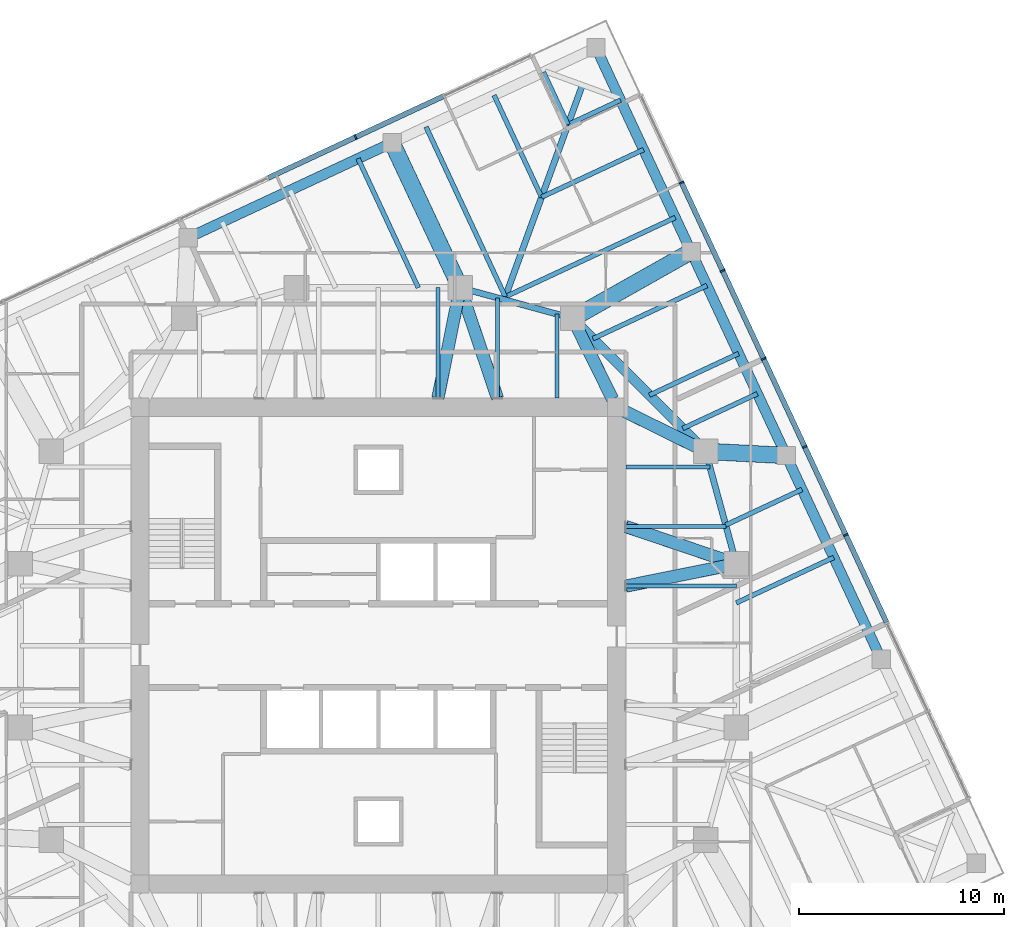
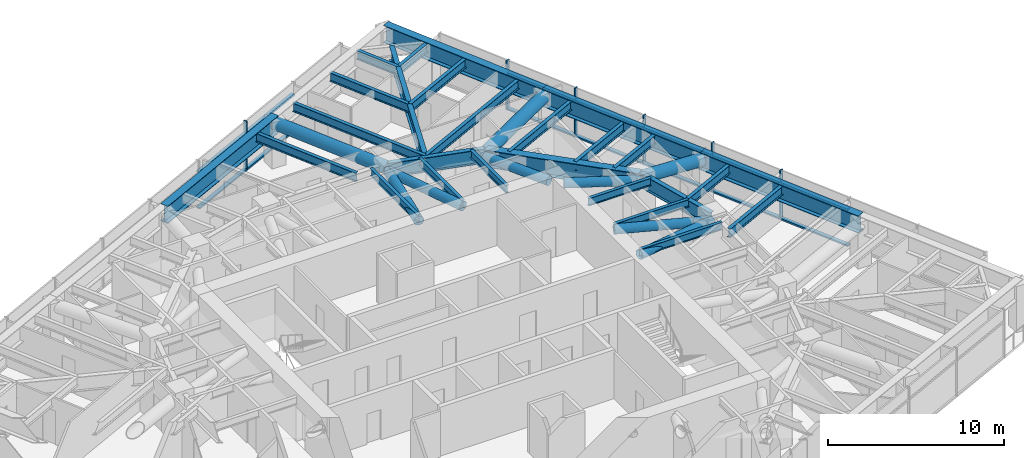
# One storey, part 6 of 16: 29 members, 26 beams, 2 elements without a shape of their own.
"""IFC4 building model written with IfcOpenShell, lengths in metres."""

from ifc_helpers import new_model, si_unit, direction, frame, origin, origin_2d, place, context, subcontext, project, spatial, rectangle, hollow_circle, i_section, extrude, material, material_profile, profile_set, type_object, element, aggregate, save


model = new_model("IFC4")

# Units and contexts
model_context = context("Model", 3, precision=1e-05, world=origin(), true_north=direction((0.0, 1.0)))
body_context = subcontext(model_context, "Body", "Model", "MODEL_VIEW")
ifc_project = project(units=[si_unit("LENGTHUNIT", "METRE"), si_unit("AREAUNIT", "SQUARE_METRE"), si_unit("VOLUMEUNIT", "CUBIC_METRE"), si_unit("PLANEANGLEUNIT", "RADIAN"), si_unit("MASSUNIT", "GRAM", prefix="KILO")], contexts=[model_context])

# Site, building, storey
site_placement = place(None, origin())
site = spatial("IfcSite", under=ifc_project, at=site_placement, CompositionType="ELEMENT")
building_placement = place(site_placement, origin())
building = spatial("IfcBuilding", under=site, at=building_placement, Name="Torsade Residences", CompositionType="ELEMENT")
storey_placement = place(building_placement, frame((0.0, 0.0, 199.800048828125)))
storey = spatial("IfcBuildingStorey", under=building, at=storey_placement, Name="L55", CompositionType="ELEMENT", Elevation=199.800048828125)

# Beams
ifc_material_1 = material(Name="Steel grade 300", Category="steel")
ifc_material_profile_1 = material_profile(ifc_material_1, i_section(OverallWidth=0.300048828125, OverallDepth=1.0, WebThickness=0.01611328125, FlangeThickness=0.028076171875, at=origin_2d()), Name="1000WB215")
ifc_profile_set_1 = profile_set([ifc_material_profile_1], Name="Steel grade 300")
beam_type_1 = type_object("IfcBeamType", Name="CORNER GIRDER 1000WB215", PredefinedType="BEAM", material=ifc_profile_set_1)
beam_1_placement = place(storey_placement, frame((49.97607421875, 57.4091796875, 2.699951171875), z_axis=(-0.342015044723, -0.93969447651, 0.0), x_axis=(0.93969447651, -0.342015044723, 0.0)))
element("IfcBeam", 1, at=beam_1_placement, inside=storey, type_object=beam_type_1, Name="Corner girder 09 L56", PredefinedType="BEAM", context=body_context, shape_type="SweptSolid", body=[
    extrude(i_section(OverallWidth=0.300048828125, OverallDepth=1.0, WebThickness=0.01611328125, FlangeThickness=0.028076171875, at=origin_2d()), origin(), (0.0, 0.0, 1.0), 11.170654296875),
])
ifc_material_2 = material(Name="Steel grade 300", Category="steel")
ifc_material_profile_2 = material_profile(ifc_material_2, i_section(OverallWidth=0.208984375, OverallDepth=0.528076171875, WebThickness=0.009521484375, FlangeThickness=0.01318359375, FilletRadius=0.013916015625, at=origin_2d()), Name="530UB82.0")
ifc_profile_set_2 = profile_set([ifc_material_profile_2], Name="Steel grade 300")
beam_type_2 = type_object("IfcBeamType", Name="INNER FLOOR BEAM 530UB82.0", PredefinedType="JOIST", material=ifc_profile_set_2)
beam_2_placement = place(storey_placement, frame((42.91259765625, 42.10009765625, 2.93603515625), z_axis=(0.0, 1.0, 0.0), x_axis=(-1.0, 0.0, 0.0)))
element("IfcBeam", 2, at=beam_2_placement, inside=storey, type_object=beam_type_2, Name="Inner floor beam IN05 L56", PredefinedType="JOIST", context=body_context, shape_type="SweptSolid", body=[
    extrude(i_section(OverallWidth=0.208984375, OverallDepth=0.528076171875, WebThickness=0.009521484375, FlangeThickness=0.01318359375, FilletRadius=0.013916015625, at=origin_2d()), origin(), (0.0, 0.0, 1.0), 5.39990234375),
])
beam_3_placement = place(storey_placement, frame((45.824951171875, 42.10009765625, 2.93603515625), z_axis=(0.0, 1.0, 0.0), x_axis=(-1.0, 0.0, 0.0)))
element("IfcBeam", 3, at=beam_3_placement, inside=storey, type_object=beam_type_2, Name="Inner floor beam IN06 L56", PredefinedType="JOIST", context=body_context, shape_type="SweptSolid", body=[
    extrude(i_section(OverallWidth=0.208984375, OverallDepth=0.528076171875, WebThickness=0.009521484375, FlangeThickness=0.01318359375, FilletRadius=0.013916015625, at=origin_2d()), origin(), (0.0, 0.0, 1.0), 4.902099609375),
])
beam_4_placement = place(storey_placement, frame((48.737548828125, 42.10009765625, 2.93603515625), z_axis=(0.0, 1.0, 0.0), x_axis=(-1.0, 0.0, 0.0)))
element("IfcBeam", 4, at=beam_4_placement, inside=storey, type_object=beam_type_2, Name="Inner floor beam IN07 L56", PredefinedType="JOIST", context=body_context, shape_type="SweptSolid", body=[
    extrude(i_section(OverallWidth=0.208984375, OverallDepth=0.528076171875, WebThickness=0.009521484375, FlangeThickness=0.01318359375, FilletRadius=0.013916015625, at=origin_2d()), origin(), (0.0, 0.0, 1.0), 4.10791015625),
])
beam_5_placement = place(storey_placement, frame((52.10009765625, 32.91259765625, 2.93603515625), z_axis=(1.0, 0.0, 0.0), x_axis=(0.0, 1.0, 0.0)))
element("IfcBeam", 5, at=beam_5_placement, inside=storey, type_object=beam_type_2, Name="Inner floor beam IE05 L56", PredefinedType="JOIST", context=body_context, shape_type="SweptSolid", body=[
    extrude(i_section(OverallWidth=0.208984375, OverallDepth=0.528076171875, WebThickness=0.009521484375, FlangeThickness=0.01318359375, FilletRadius=0.013916015625, at=origin_2d()), origin(), (0.0, 0.0, 1.0), 5.39990234375),
])
beam_6_placement = place(storey_placement, frame((52.10009765625, 35.824951171875, 2.93603515625), z_axis=(1.0, 0.0, 0.0), x_axis=(0.0, 1.0, 0.0)))
element("IfcBeam", 6, at=beam_6_placement, inside=storey, type_object=beam_type_2, Name="Inner floor beam IE06 L56", PredefinedType="JOIST", context=body_context, shape_type="SweptSolid", body=[
    extrude(i_section(OverallWidth=0.208984375, OverallDepth=0.528076171875, WebThickness=0.009521484375, FlangeThickness=0.01318359375, FilletRadius=0.013916015625, at=origin_2d()), origin(), (0.0, 0.0, 1.0), 4.902099609375),
])
beam_7_placement = place(storey_placement, frame((52.10009765625, 38.737548828125, 2.93603515625), z_axis=(1.0, 0.0, 0.0), x_axis=(0.0, 1.0, 0.0)))
element("IfcBeam", 7, at=beam_7_placement, inside=storey, type_object=beam_type_2, Name="Inner floor beam IE07 L56", PredefinedType="JOIST", context=body_context, shape_type="SweptSolid", body=[
    extrude(i_section(OverallWidth=0.208984375, OverallDepth=0.528076171875, WebThickness=0.009521484375, FlangeThickness=0.01318359375, FilletRadius=0.013916015625, at=origin_2d()), origin(), (0.0, 0.0, 1.0), 4.10791015625),
])

# Curtain wall, members
ifc_material_3 = material(Name="Aluminium and glass", Category="aluminium")
curtain_wall_type = type_object("IfcCurtainWallType", Name="FRITTED GLASS CURTAIN WALL MID ZONE", PredefinedType="NOTDEFINED", material=ifc_material_3)
curtain_wall_1_placement = place(storey_placement, origin())
curtain_wall_1 = element("IfcCurtainWall", 8, at=curtain_wall_1_placement, inside=storey, type_object=curtain_wall_type, Name="Curtain wall L55 face 4", PredefinedType="NOTDEFINED")
ifc_material_4 = material(Name="Aluminium mullion", Category="aluminium")
ifc_material_profile_3 = material_profile(ifc_material_4, rectangle(XDim=0.25, YDim=0.080078125, at=origin_2d()), Name="MID ZONE CURTAIN WALL MULLION 250x80")
ifc_profile_set_3 = profile_set([ifc_material_profile_3], Name="Aluminium mullion")
member_type_1 = type_object("IfcMemberType", Name="MID ZONE CURTAIN WALL MULLION 250x80", PredefinedType="MULLION", material=ifc_profile_set_3)
member_1_placement = place(storey_placement, frame((62.8525390625, 35.415283203125, 0.0), z_axis=(0.0, 0.0, 1.0), x_axis=(-0.906307786926, -0.422618261978, 0.0)))
member_1 = element("IfcMember", 9, at=member_1_placement, type_object=member_type_1, Name="Mullion 4", PredefinedType="MULLION", context=body_context, shape_type="SweptSolid", body=[
    extrude(rectangle(XDim=0.25, YDim=0.080078125, at=origin_2d()), origin(), (0.0, 0.0, 1.0), 3.39990234375),
])
member_2_placement = place(storey_placement, frame((60.844970703125, 39.72021484375, 0.0), z_axis=(0.0, 0.0, 1.0), x_axis=(-0.906307786926, -0.422618261978, 0.0)))
member_2 = element("IfcMember", 10, at=member_2_placement, type_object=member_type_1, Name="Mullion 5", PredefinedType="MULLION", context=body_context, shape_type="SweptSolid", body=[
    extrude(rectangle(XDim=0.25, YDim=0.080078125, at=origin_2d()), origin(), (0.0, 0.0, 1.0), 3.39990234375),
])
member_3_placement = place(storey_placement, frame((58.837646484375, 44.025146484375, 0.0), z_axis=(0.0, 0.0, 1.0), x_axis=(-0.906307786926, -0.422618261978, 0.0)))
member_3 = element("IfcMember", 11, at=member_3_placement, type_object=member_type_1, Name="Mullion 6", PredefinedType="MULLION", context=body_context, shape_type="SweptSolid", body=[
    extrude(rectangle(XDim=0.25, YDim=0.080078125, at=origin_2d()), origin(), (0.0, 0.0, 1.0), 3.39990234375),
])
member_4_placement = place(storey_placement, frame((56.830322265625, 48.330078125, 0.0), z_axis=(0.0, 0.0, 1.0), x_axis=(-0.906307786926, -0.422618261978, 0.0)))
member_4 = element("IfcMember", 12, at=member_4_placement, type_object=member_type_1, Name="Mullion 7", PredefinedType="MULLION", context=body_context, shape_type="SweptSolid", body=[
    extrude(rectangle(XDim=0.25, YDim=0.080078125, at=origin_2d()), origin(), (0.0, 0.0, 1.0), 3.39990234375),
])
member_5_placement = place(storey_placement, frame((54.82275390625, 52.635009765625, 0.0), z_axis=(0.0, 0.0, 1.0), x_axis=(-0.906307786926, -0.422618261978, 0.0)))
member_5 = element("IfcMember", 13, at=member_5_placement, type_object=member_type_1, Name="Mullion 8", PredefinedType="MULLION", context=body_context, shape_type="SweptSolid", body=[
    extrude(rectangle(XDim=0.25, YDim=0.080078125, at=origin_2d()), origin(), (0.0, 0.0, 1.0), 3.39990234375),
])

# Curtain wall, member
curtain_wall_2_placement = place(storey_placement, origin())
curtain_wall_2 = element("IfcCurtainWall", 14, at=curtain_wall_2_placement, inside=storey, type_object=curtain_wall_type, Name="Curtain wall L55 face 7", PredefinedType="NOTDEFINED")
member_6_placement = place(storey_placement, frame((38.8896484375, 54.85986328125, 0.0), z_axis=(0.0, 0.0, 1.0), x_axis=(0.422618261978, -0.906307786926, 0.0)))
member_6 = element("IfcMember", 15, at=member_6_placement, type_object=member_type_1, Name="Mullion 3", PredefinedType="MULLION", context=body_context, shape_type="SweptSolid", body=[
    extrude(rectangle(XDim=0.25, YDim=0.080078125, at=origin_2d()), origin(), (0.0, 0.0, 1.0), 3.39990234375),
])

# Member
ifc_material_5 = material(Name="Aluminium transom", Category="aluminium")
ifc_material_profile_4 = material_profile(ifc_material_5, rectangle(XDim=0.25, YDim=0.110107421875, at=origin_2d()), Name="MID ZONE CURTAIN WALL TRANSOM 250x110")
ifc_profile_set_4 = profile_set([ifc_material_profile_4], Name="Aluminium transom")
member_type_2 = type_object("IfcMemberType", Name="MID ZONE CURTAIN WALL TRANSOM 250x110", PredefinedType="USERDEFINED", material=ifc_profile_set_4)
member_7_placement = place(storey_placement, frame((64.843017578125, 31.146484375, 0.054931640625), z_axis=(-0.422622145291, 0.906305976097, 0.0), x_axis=(-0.906305976097, -0.422622145291, 0.0)))
member_7 = element("IfcMember", 16, at=member_7_placement, type_object=member_type_2, Name="Transom 3.1", ObjectType="TRANSOM", PredefinedType="USERDEFINED", context=body_context, shape_type="SweptSolid", body=[
    extrude(rectangle(XDim=0.25, YDim=0.110107421875, at=origin_2d()), origin(), (0.0, 0.0, 1.0), 4.669921875),
])

member_8_placement = place(storey_placement, frame((64.843017578125, 31.146484375, 2.554931640625), z_axis=(-0.422622145291, 0.906305976097, 0.0), x_axis=(-0.906305976097, -0.422622145291, 0.0)))
member_8 = element("IfcMember", 17, at=member_8_placement, type_object=member_type_2, Name="Transom 3.2", ObjectType="TRANSOM", PredefinedType="USERDEFINED", context=body_context, shape_type="SweptSolid", body=[
    extrude(rectangle(XDim=0.25, YDim=0.110107421875, at=origin_2d()), origin(), (0.0, 0.0, 1.0), 4.669921875),
])

member_9_placement = place(storey_placement, frame((62.835693359375, 35.451416015625, 0.054931640625), z_axis=(-0.422602122035, 0.90631531293, 0.0), x_axis=(-0.90631531293, -0.422602122035, 0.0)))
member_9 = element("IfcMember", 18, at=member_9_placement, type_object=member_type_2, Name="Transom 4.1", ObjectType="TRANSOM", PredefinedType="USERDEFINED", context=body_context, shape_type="SweptSolid", body=[
    extrude(rectangle(XDim=0.25, YDim=0.110107421875, at=origin_2d()), origin(), (0.0, 0.0, 1.0), 4.670166015625),
])

member_10_placement = place(storey_placement, frame((62.835693359375, 35.451416015625, 2.554931640625), z_axis=(-0.422602122035, 0.90631531293, 0.0), x_axis=(-0.90631531293, -0.422602122035, 0.0)))
member_10 = element("IfcMember", 19, at=member_10_placement, type_object=member_type_2, Name="Transom 4.2", ObjectType="TRANSOM", PredefinedType="USERDEFINED", context=body_context, shape_type="SweptSolid", body=[
    extrude(rectangle(XDim=0.25, YDim=0.110107421875, at=origin_2d()), origin(), (0.0, 0.0, 1.0), 4.670166015625),
])

member_11_placement = place(storey_placement, frame((60.828125, 39.756591796875, 0.054931640625), z_axis=(-0.422622145291, 0.906305976097, 0.0), x_axis=(-0.906305976097, -0.422622145291, 0.0)))
member_11 = element("IfcMember", 20, at=member_11_placement, type_object=member_type_2, Name="Transom 5.1", ObjectType="TRANSOM", PredefinedType="USERDEFINED", context=body_context, shape_type="SweptSolid", body=[
    extrude(rectangle(XDim=0.25, YDim=0.110107421875, at=origin_2d()), origin(), (0.0, 0.0, 1.0), 4.669921875),
])

member_12_placement = place(storey_placement, frame((60.828125, 39.756591796875, 2.554931640625), z_axis=(-0.422622145291, 0.906305976097, 0.0), x_axis=(-0.906305976097, -0.422622145291, 0.0)))
member_12 = element("IfcMember", 21, at=member_12_placement, type_object=member_type_2, Name="Transom 5.2", ObjectType="TRANSOM", PredefinedType="USERDEFINED", context=body_context, shape_type="SweptSolid", body=[
    extrude(rectangle(XDim=0.25, YDim=0.110107421875, at=origin_2d()), origin(), (0.0, 0.0, 1.0), 4.669921875),
])

member_13_placement = place(storey_placement, frame((58.82080078125, 44.0615234375, 0.054931640625), z_axis=(-0.422622145291, 0.906305976097, 0.0), x_axis=(-0.906305976097, -0.422622145291, 0.0)))
member_13 = element("IfcMember", 22, at=member_13_placement, type_object=member_type_2, Name="Transom 6.1", ObjectType="TRANSOM", PredefinedType="USERDEFINED", context=body_context, shape_type="SweptSolid", body=[
    extrude(rectangle(XDim=0.25, YDim=0.110107421875, at=origin_2d()), origin(), (0.0, 0.0, 1.0), 4.669921875),
])

member_14_placement = place(storey_placement, frame((58.82080078125, 44.0615234375, 2.554931640625), z_axis=(-0.422622145291, 0.906305976097, 0.0), x_axis=(-0.906305976097, -0.422622145291, 0.0)))
member_14 = element("IfcMember", 23, at=member_14_placement, type_object=member_type_2, Name="Transom 6.2", ObjectType="TRANSOM", PredefinedType="USERDEFINED", context=body_context, shape_type="SweptSolid", body=[
    extrude(rectangle(XDim=0.25, YDim=0.110107421875, at=origin_2d()), origin(), (0.0, 0.0, 1.0), 4.669921875),
])

member_15_placement = place(storey_placement, frame((56.813232421875, 48.366455078125, 0.054931640625), z_axis=(-0.422622145291, 0.906305976097, 0.0), x_axis=(-0.906305976097, -0.422622145291, 0.0)))
member_15 = element("IfcMember", 24, at=member_15_placement, type_object=member_type_2, Name="Transom 7.1", ObjectType="TRANSOM", PredefinedType="USERDEFINED", context=body_context, shape_type="SweptSolid", body=[
    extrude(rectangle(XDim=0.25, YDim=0.110107421875, at=origin_2d()), origin(), (0.0, 0.0, 1.0), 4.669921875),
])

member_16_placement = place(storey_placement, frame((56.813232421875, 48.366455078125, 2.554931640625), z_axis=(-0.422622145291, 0.906305976097, 0.0), x_axis=(-0.906305976097, -0.422622145291, 0.0)))
member_16 = element("IfcMember", 25, at=member_16_placement, type_object=member_type_2, Name="Transom 7.2", ObjectType="TRANSOM", PredefinedType="USERDEFINED", context=body_context, shape_type="SweptSolid", body=[
    extrude(rectangle(XDim=0.25, YDim=0.110107421875, at=origin_2d()), origin(), (0.0, 0.0, 1.0), 4.669921875),
])

aggregate(curtain_wall_1, [member_1, member_2, member_3, member_4, member_5, member_7, member_8, member_9, member_10, member_11, member_12, member_13, member_14, member_15, member_16])

member_17_placement = place(storey_placement, frame((43.158447265625, 56.8505859375, 0.054931640625), z_axis=(-0.906305976097, -0.422622145291, 0.0), x_axis=(0.422622145291, -0.906305976097, 0.0)))
member_17 = element("IfcMember", 26, at=member_17_placement, type_object=member_type_2, Name="Transom 2.1", ObjectType="TRANSOM", PredefinedType="USERDEFINED", context=body_context, shape_type="SweptSolid", body=[
    extrude(rectangle(XDim=0.25, YDim=0.110107421875, at=origin_2d()), origin(), (0.0, 0.0, 1.0), 4.669921875),
])

member_18_placement = place(storey_placement, frame((43.158447265625, 56.8505859375, 2.554931640625), z_axis=(-0.906305976097, -0.422622145291, 0.0), x_axis=(0.422622145291, -0.906305976097, 0.0)))
member_18 = element("IfcMember", 27, at=member_18_placement, type_object=member_type_2, Name="Transom 2.2", ObjectType="TRANSOM", PredefinedType="USERDEFINED", context=body_context, shape_type="SweptSolid", body=[
    extrude(rectangle(XDim=0.25, YDim=0.110107421875, at=origin_2d()), origin(), (0.0, 0.0, 1.0), 4.669921875),
])

member_19_placement = place(storey_placement, frame((38.853515625, 54.843017578125, 0.054931640625), z_axis=(-0.906305976097, -0.422622145291, 0.0), x_axis=(0.422622145291, -0.906305976097, 0.0)))
member_19 = element("IfcMember", 28, at=member_19_placement, type_object=member_type_2, Name="Transom 3.1", ObjectType="TRANSOM", PredefinedType="USERDEFINED", context=body_context, shape_type="SweptSolid", body=[
    extrude(rectangle(XDim=0.25, YDim=0.110107421875, at=origin_2d()), origin(), (0.0, 0.0, 1.0), 4.669921875),
])

member_20_placement = place(storey_placement, frame((38.853515625, 54.843017578125, 2.554931640625), z_axis=(-0.906305976097, -0.422622145291, 0.0), x_axis=(0.422622145291, -0.906305976097, 0.0)))
member_20 = element("IfcMember", 29, at=member_20_placement, type_object=member_type_2, Name="Transom 3.2", ObjectType="TRANSOM", PredefinedType="USERDEFINED", context=body_context, shape_type="SweptSolid", body=[
    extrude(rectangle(XDim=0.25, YDim=0.110107421875, at=origin_2d()), origin(), (0.0, 0.0, 1.0), 4.669921875),
])

aggregate(curtain_wall_2, [member_6, member_17, member_18, member_19, member_20])

# Beams
ifc_material_6 = material(Name="Steel grade 300", Category="steel")
ifc_material_profile_5 = material_profile(ifc_material_6, i_section(OverallWidth=0.5, OverallDepth=1.199951171875, WebThickness=0.01611328125, FlangeThickness=0.0400390625, at=origin_2d()), Name="1200WB455")
ifc_profile_set_5 = profile_set([ifc_material_profile_5], Name="Steel grade 300")
beam_type_3 = type_object("IfcBeamType", Name="RING CORNER GIRDER 1200WB455", PredefinedType="BEAM", material=ifc_profile_set_5)
beam_8_placement = place(storey_placement, frame((56.0, 39.5, 2.599853515625), z_axis=(-0.707106781187, 0.707106781187, 0.0), x_axis=(-0.707106781187, -0.707106781187, 0.0)))
element("IfcBeam", 30, at=beam_8_placement, inside=storey, type_object=beam_type_3, Name="Ring girder IR03 L56", PredefinedType="BEAM", context=body_context, shape_type="SweptSolid", body=[
    extrude(i_section(OverallWidth=0.5, OverallDepth=1.199951171875, WebThickness=0.01611328125, FlangeThickness=0.0400390625, at=origin_2d()), origin(), (0.0, 0.0, 1.0), 9.1923828125),
])
ifc_material_7 = material(Name="Steel grade 300", Category="steel")
ifc_material_profile_6 = material_profile(ifc_material_7, i_section(OverallWidth=0.300048828125, OverallDepth=1.0, WebThickness=0.01611328125, FlangeThickness=0.028076171875, at=origin_2d()), Name="1000WB215")
ifc_profile_set_6 = profile_set([ifc_material_profile_6], Name="Steel grade 300")
beam_type_4 = type_object("IfcBeamType", Name="RING GIRDER 1000WB215", PredefinedType="BEAM", material=ifc_profile_set_6)
for number, where, z_axis, x_axis, name in (
    (31, (57.5, 34.0, 2.699951171875), (-0.263117405792, 0.964763821238, 0.0), (-0.964763821238, -0.263117405792, 0.0), "Ring girder IR02 L56"),
    (32, (49.5, 46.0, 2.699951171875), (-0.964763821238, 0.263117405792, 0.0), (-0.263117405792, -0.964763821238, 0.0), "Ring girder IR04 L56"),
):
    element("IfcBeam", number, at=place(storey_placement, frame(where, z_axis=z_axis, x_axis=x_axis)), inside=storey, type_object=beam_type_4, Name=name, PredefinedType="BEAM", context=body_context, shape_type="SweptSolid", body=[
        extrude(i_section(OverallWidth=0.300048828125, OverallDepth=1.0, WebThickness=0.01611328125, FlangeThickness=0.028076171875, at=origin_2d()), origin(), (0.0, 0.0, 1.0), 5.700927734375),
    ])
ifc_material_8 = material(Name="Steel grade 300", Category="steel")
ifc_material_profile_7 = material_profile(ifc_material_8, i_section(OverallWidth=0.22900390625, OverallDepth=0.612060546875, WebThickness=0.011962890625, FlangeThickness=0.01953125, FilletRadius=0.013916015625, at=origin_2d()), Name="610UB125")
ifc_profile_set_7 = profile_set([ifc_material_profile_7], Name="Steel grade 300")
beam_type_5 = type_object("IfcBeamType", Name="SECONDARY BEAM 610UB125", PredefinedType="JOIST", material=ifc_profile_set_7)
beam_9_placement = place(storey_placement, frame((62.26318359375, 34.31298828125, 2.89404296875), z_axis=(-0.90630178035, -0.422631142882, 0.0), x_axis=(0.422631142882, -0.90630178035, 0.0)))
element("IfcBeam", 33, at=beam_9_placement, inside=storey, type_object=beam_type_5, Name="Floor beam FE05 L56", PredefinedType="JOIST", context=body_context, shape_type="SweptSolid", body=[
    extrude(i_section(OverallWidth=0.22900390625, OverallDepth=0.612060546875, WebThickness=0.011962890625, FlangeThickness=0.01953125, FilletRadius=0.013916015625, at=origin_2d()), origin(), (0.0, 0.0, 1.0), 5.255615234375),
])
beam_10_placement = place(storey_placement, frame((60.713623046875, 37.635986328125, 2.89404296875), z_axis=(-0.906299775267, -0.422635442612, 0.0), x_axis=(0.422635442612, -0.906299775267, 0.0)))
element("IfcBeam", 34, at=beam_10_placement, inside=storey, type_object=beam_type_5, Name="Floor beam FE06 L56", PredefinedType="JOIST", context=body_context, shape_type="SweptSolid", body=[
    extrude(i_section(OverallWidth=0.22900390625, OverallDepth=0.612060546875, WebThickness=0.011962890625, FlangeThickness=0.01953125, FilletRadius=0.013916015625, at=origin_2d()), origin(), (0.0, 0.0, 1.0), 4.116455078125),
])
beam_11_placement = place(storey_placement, frame((58.530029296875, 42.318603515625, 2.89404296875), z_axis=(-0.906310173615, -0.42261314367, 0.0), x_axis=(0.42261314367, -0.906310173615, 0.0)))
element("IfcBeam", 35, at=beam_11_placement, inside=storey, type_object=beam_type_5, Name="Floor beam FE07 L56", PredefinedType="JOIST", context=body_context, shape_type="SweptSolid", body=[
    extrude(i_section(OverallWidth=0.22900390625, OverallDepth=0.612060546875, WebThickness=0.011962890625, FlangeThickness=0.01953125, FilletRadius=0.013916015625, at=origin_2d()), origin(), (0.0, 0.0, 1.0), 4.02490234375),
])
beam_12_placement = place(storey_placement, frame((57.6142578125, 44.2822265625, 2.89404296875), z_axis=(-0.906307500203, -0.422618876857, 0.0), x_axis=(0.422618876857, -0.906307500203, 0.0)))
element("IfcBeam", 36, at=beam_12_placement, inside=storey, type_object=beam_type_5, Name="Floor beam FE08 L56", PredefinedType="JOIST", context=body_context, shape_type="SweptSolid", body=[
    extrude(i_section(OverallWidth=0.22900390625, OverallDepth=0.612060546875, WebThickness=0.011962890625, FlangeThickness=0.01953125, FilletRadius=0.013916015625, at=origin_2d()), origin(), (0.0, 0.0, 1.0), 4.813232421875),
])
beam_13_placement = place(storey_placement, frame((56.064697265625, 47.60546875, 2.89404296875), z_axis=(-0.906293692233, -0.42264848683, 0.0), x_axis=(0.42264848683, -0.906293692233, 0.0)))
element("IfcBeam", 37, at=beam_13_placement, inside=storey, type_object=beam_type_5, Name="Floor beam FE09 L56", PredefinedType="JOIST", context=body_context, shape_type="SweptSolid", body=[
    extrude(i_section(OverallWidth=0.22900390625, OverallDepth=0.612060546875, WebThickness=0.011962890625, FlangeThickness=0.01953125, FilletRadius=0.013916015625, at=origin_2d()), origin(), (0.0, 0.0, 1.0), 6.14794921875),
])
beam_14_placement = place(storey_placement, frame((54.51513671875, 50.928466796875, 2.89404296875), z_axis=(-0.90630761667, -0.422618627092, 0.0), x_axis=(0.422618627092, -0.90630761667, 0.0)))
element("IfcBeam", 38, at=beam_14_placement, inside=storey, type_object=beam_type_5, Name="Floor beam FE10 L56", PredefinedType="JOIST", context=body_context, shape_type="SweptSolid", body=[
    extrude(i_section(OverallWidth=0.22900390625, OverallDepth=0.612060546875, WebThickness=0.011962890625, FlangeThickness=0.01953125, FilletRadius=0.013916015625, at=origin_2d()), origin(), (0.0, 0.0, 1.0), 9.166748046875),
])
beam_15_placement = place(storey_placement, frame((52.965576171875, 54.251708984375, 2.89404296875), z_axis=(-0.90630104482, -0.422632720171, 0.0), x_axis=(0.422632720171, -0.90630104482, 0.0)))
element("IfcBeam", 39, at=beam_15_placement, inside=storey, type_object=beam_type_5, Name="Floor beam FE11 L56", PredefinedType="JOIST", context=body_context, shape_type="SweptSolid", body=[
    extrude(i_section(OverallWidth=0.22900390625, OverallDepth=0.612060546875, WebThickness=0.011962890625, FlangeThickness=0.01953125, FilletRadius=0.013916015625, at=origin_2d()), origin(), (0.0, 0.0, 1.0), 5.5),
])
for number, where, z_axis, x_axis, name in (
    (40, (51.838623046875, 56.66845703125, 2.89404296875), (-0.906328379221, -0.42257409885, 0.0), (0.42257409885, -0.906328379221, 0.0), "Floor beam FE12 L56"),
    (41, (48.0732421875, 58.0390625, 2.89404296875), (0.422644877104, -0.906295375613, 0.0), (0.906295375613, 0.422644877104, 0.0), "Floor beam FN01 L56"),
):
    element("IfcBeam", number, at=place(storey_placement, frame(where, z_axis=z_axis, x_axis=x_axis)), inside=storey, type_object=beam_type_5, Name=name, PredefinedType="JOIST", context=body_context, shape_type="SweptSolid", body=[
        extrude(i_section(OverallWidth=0.22900390625, OverallDepth=0.612060546875, WebThickness=0.011962890625, FlangeThickness=0.01953125, FilletRadius=0.013916015625, at=origin_2d()), origin(), (0.0, 0.0, 1.0), 2.833251953125),
    ])
beam_16_placement = place(storey_placement, frame((45.656494140625, 56.911865234375, 2.89404296875), z_axis=(0.422632720171, -0.90630104482, 0.0), x_axis=(0.90630104482, 0.422632720171, 0.0)))
element("IfcBeam", 42, at=beam_16_placement, inside=storey, type_object=beam_type_5, Name="Floor beam FN02 L56", PredefinedType="JOIST", context=body_context, shape_type="SweptSolid", body=[
    extrude(i_section(OverallWidth=0.22900390625, OverallDepth=0.612060546875, WebThickness=0.011962890625, FlangeThickness=0.01953125, FilletRadius=0.013916015625, at=origin_2d()), origin(), (0.0, 0.0, 1.0), 5.5),
])
beam_17_placement = place(storey_placement, frame((42.333251953125, 55.3623046875, 2.89404296875), z_axis=(0.422618627092, -0.90630761667, 0.0), x_axis=(0.90630761667, 0.422618627092, 0.0)))
element("IfcBeam", 43, at=beam_17_placement, inside=storey, type_object=beam_type_5, Name="Floor beam FN03 L56", PredefinedType="JOIST", context=body_context, shape_type="SweptSolid", body=[
    extrude(i_section(OverallWidth=0.22900390625, OverallDepth=0.612060546875, WebThickness=0.011962890625, FlangeThickness=0.01953125, FilletRadius=0.013916015625, at=origin_2d()), origin(), (0.0, 0.0, 1.0), 9.166748046875),
])
beam_18_placement = place(storey_placement, frame((39.01025390625, 53.812744140625, 2.89404296875), z_axis=(0.422609131726, -0.906312044376, 0.0), x_axis=(0.906312044376, 0.422609131726, 0.0)))
element("IfcBeam", 44, at=beam_18_placement, inside=storey, type_object=beam_type_5, Name="Floor beam FN04 L56", PredefinedType="JOIST", context=body_context, shape_type="SweptSolid", body=[
    extrude(i_section(OverallWidth=0.22900390625, OverallDepth=0.612060546875, WebThickness=0.011962890625, FlangeThickness=0.01953125, FilletRadius=0.013916015625, at=origin_2d()), origin(), (0.0, 0.0, 1.0), 6.96533203125),
])

# Members
ifc_material_9 = material(Name="Steel grade 450", Category="steel")
ifc_material_profile_8 = material_profile(ifc_material_9, hollow_circle(Radius=0.304931640625, WallThickness=0.01611328125, at=origin_2d()), Name="610.0x16.0CHS")
ifc_profile_set_8 = profile_set([ifc_material_profile_8], Name="Steel grade 450")
member_type_3 = type_object("IfcMemberType", Name="TRANSFER FLOOR BRACE 610.0x16.0CHS", PredefinedType="BRACE", material=ifc_profile_set_8)
member_21_placement = place(storey_placement, frame((57.5, 34.0, 2.599853515625), z_axis=(-0.97976207845, -0.197299045909, 0.03375434957), x_axis=(0.197411538983, -0.980320704809, 0.0)))
element("IfcMember", 45, at=member_21_placement, inside=storey, type_object=member_type_3, Name="Transfer floor brace TT6 bottom IR02IE05", PredefinedType="BRACE", context=body_context, shape_type="SweptSolid", body=[
    extrude(hollow_circle(Radius=0.304931640625, WallThickness=0.01611328125, at=origin_2d()), origin(), (0.0, 0.0, 1.0), 5.511474609375),
])
member_22_placement = place(storey_placement, frame((57.5, 34.0, 2.599853515625), z_axis=(-0.946855969774, 0.319999474368, 0.032620682203), x_axis=(-0.320169867513, -0.947360151124, 0.0)))
element("IfcMember", 46, at=member_22_placement, inside=storey, type_object=member_type_3, Name="Transfer floor brace TT6 bottom IR02IE06", PredefinedType="BRACE", context=body_context, shape_type="SweptSolid", body=[
    extrude(hollow_circle(Radius=0.304931640625, WallThickness=0.01611328125, at=origin_2d()), origin(), (0.0, 0.0, 1.0), 5.702880859375),
])
for number, where, z_axis, x_axis, name in (
    (47, (56.0, 39.5, 2.599853515625), (-0.896469701914, 0.443105036702, 0.0), (-0.443105036702, -0.896469701914, 0.0), "Transfer floor brace TT6 bottom IR03C"),
    (48, (49.5, 46.0, 2.599853515625), (0.443105036702, -0.896469701914, 0.0), (0.896469701914, 0.443105036702, 0.0), "Transfer floor brace TT6 bottom IR04C"),
):
    element("IfcMember", number, at=place(storey_placement, frame(where, z_axis=z_axis, x_axis=x_axis)), inside=storey, type_object=member_type_3, Name=name, PredefinedType="BRACE", context=body_context, shape_type="SweptSolid", body=[
        extrude(hollow_circle(Radius=0.304931640625, WallThickness=0.01611328125, at=origin_2d()), origin(), (0.0, 0.0, 1.0), 4.40234375),
    ])
member_23_placement = place(storey_placement, frame((44.0, 47.5, 2.599853515625), z_axis=(-0.197299045909, -0.97976207845, 0.03375434957), x_axis=(0.980320704809, -0.197411538983, 0.0)))
element("IfcMember", 49, at=member_23_placement, inside=storey, type_object=member_type_3, Name="Transfer floor brace TT6 bottom IR05IN05", PredefinedType="BRACE", context=body_context, shape_type="SweptSolid", body=[
    extrude(hollow_circle(Radius=0.304931640625, WallThickness=0.01611328125, at=origin_2d()), origin(), (0.0, 0.0, 1.0), 5.511474609375),
])
member_24_placement = place(storey_placement, frame((44.0, 47.5, 2.599853515625), z_axis=(0.319999474368, -0.946855969774, 0.032620682203), x_axis=(0.947360151124, 0.320169867513, 0.0)))
element("IfcMember", 50, at=member_24_placement, inside=storey, type_object=member_type_3, Name="Transfer floor brace TT6 bottom IR05IN06", PredefinedType="BRACE", context=body_context, shape_type="SweptSolid", body=[
    extrude(hollow_circle(Radius=0.304931640625, WallThickness=0.01611328125, at=origin_2d()), origin(), (0.0, 0.0, 1.0), 5.702880859375),
])
ifc_material_10 = material(Name="Steel grade 450", Category="steel")
ifc_material_profile_9 = material_profile(ifc_material_10, hollow_circle(Radius=0.406494140625, WallThickness=0.02490234375, at=origin_2d()), Name="813.0x25.0CHS")
ifc_profile_set_9 = profile_set([ifc_material_profile_9], Name="Steel grade 450")
member_type_4 = type_object("IfcMemberType", Name="TRANSFER FLOOR STRUT 813.0x25.0CHS", PredefinedType="STRUT", material=ifc_profile_set_9)
member_25_placement = place(storey_placement, frame((59.938720703125, 39.297607421875, 2.800048828125), z_axis=(-0.998682381191, 0.051317652886, 0.0), x_axis=(-0.051317652886, -0.998682381191, 0.0)))
element("IfcMember", 51, at=member_25_placement, inside=storey, type_object=member_type_4, Name="Transfer floor strut TT6 bottom 07IR03", PredefinedType="STRUT", context=body_context, shape_type="SweptSolid", body=[
    extrude(hollow_circle(Radius=0.406494140625, WallThickness=0.02490234375, at=origin_2d()), origin(), (0.0, 0.0, 1.0), 3.94384765625),
])
member_26_placement = place(storey_placement, frame((55.2900390625, 49.26708984375, 2.800048828125), z_axis=(-0.870919631641, -0.491425472703, 0.0), x_axis=(0.491425472703, -0.870919631641, 0.0)))
element("IfcMember", 52, at=member_26_placement, inside=storey, type_object=member_type_4, Name="Transfer floor strut TT6 bottom 08IR04", PredefinedType="STRUT", context=body_context, shape_type="SweptSolid", body=[
    extrude(hollow_circle(Radius=0.406494140625, WallThickness=0.02490234375, at=origin_2d()), origin(), (0.0, 0.0, 1.0), 6.648193359375),
])
member_27_placement = place(storey_placement, frame((40.671875, 54.587646484375, 2.800048828125), z_axis=(0.425040097929, -0.905174521931, 0.0), x_axis=(0.905174521931, 0.425040097929, 0.0)))
element("IfcMember", 53, at=member_27_placement, inside=storey, type_object=member_type_4, Name="Transfer floor strut TT6 bottom 10IR05", PredefinedType="STRUT", context=body_context, shape_type="SweptSolid", body=[
    extrude(hollow_circle(Radius=0.406494140625, WallThickness=0.02490234375, at=origin_2d()), origin(), (0.0, 0.0, 1.0), 7.830078125),
])

# Beams
ifc_material_11 = material(Name="Steel grade 300", Category="steel")
ifc_material_profile_10 = material_profile(ifc_material_11, i_section(OverallWidth=0.5, OverallDepth=1.199951171875, WebThickness=0.01611328125, FlangeThickness=0.0400390625, at=origin_2d()), Name="1200WB455")
ifc_profile_set_10 = profile_set([ifc_material_profile_10], Name="Steel grade 300")
beam_type_6 = type_object("IfcBeamType", Name="TRANSFER TRUSS CHORD 1200WB455", PredefinedType="USERDEFINED", material=ifc_profile_set_10)
beam_19_placement = place(storey_placement, frame((64.587646484375, 29.328125, 2.800048828125), z_axis=(-0.422624219007, 0.906305009094, 0.0), x_axis=(-0.906305009094, -0.422624219007, 0.0)))
element("IfcBeam", 54, at=beam_19_placement, inside=storey, type_object=beam_type_6, Name="Transfer truss TT6 bottom chord 06", ObjectType="TRANSFER TRUSS CHORD", PredefinedType="USERDEFINED", context=body_context, shape_type="SweptSolid", body=[
    extrude(i_section(OverallWidth=0.5, OverallDepth=1.199951171875, WebThickness=0.01611328125, FlangeThickness=0.0400390625, at=origin_2d()), origin(), (0.0, 0.0, 1.0), 11.000244140625),
])
for number, where, z_axis, x_axis, name in (
    (55, (59.938720703125, 39.297607421875, 2.800048828125), (-0.422605988587, 0.906313510001, 0.0), (-0.906313510001, -0.422605988587, 0.0), "Transfer truss TT6 bottom chord 07"),
    (56, (55.2900390625, 49.26708984375, 2.800048828125), (-0.422632720171, 0.90630104482, 0.0), (-0.90630104482, -0.422632720171, 0.0), "Transfer truss TT6 bottom chord 08"),
):
    element("IfcBeam", number, at=place(storey_placement, frame(where, z_axis=z_axis, x_axis=x_axis)), inside=storey, type_object=beam_type_6, Name=name, ObjectType="TRANSFER TRUSS CHORD", PredefinedType="USERDEFINED", context=body_context, shape_type="SweptSolid", body=[
        extrude(i_section(OverallWidth=0.5, OverallDepth=1.199951171875, WebThickness=0.01611328125, FlangeThickness=0.0400390625, at=origin_2d()), origin(), (0.0, 0.0, 1.0), 11.0),
    ])
beam_20_placement = place(storey_placement, frame((40.671875, 54.587646484375, 2.800048828125), z_axis=(-0.906305009094, -0.422624219007, 0.0), x_axis=(0.422624219007, -0.906305009094, 0.0)))
element("IfcBeam", 57, at=beam_20_placement, inside=storey, type_object=beam_type_6, Name="Transfer truss TT6 bottom chord 10", ObjectType="TRANSFER TRUSS CHORD", PredefinedType="USERDEFINED", context=body_context, shape_type="SweptSolid", body=[
    extrude(i_section(OverallWidth=0.5, OverallDepth=1.199951171875, WebThickness=0.01611328125, FlangeThickness=0.0400390625, at=origin_2d()), origin(), (0.0, 0.0, 1.0), 11.000244140625),
])

save(model, "model.ifc")
